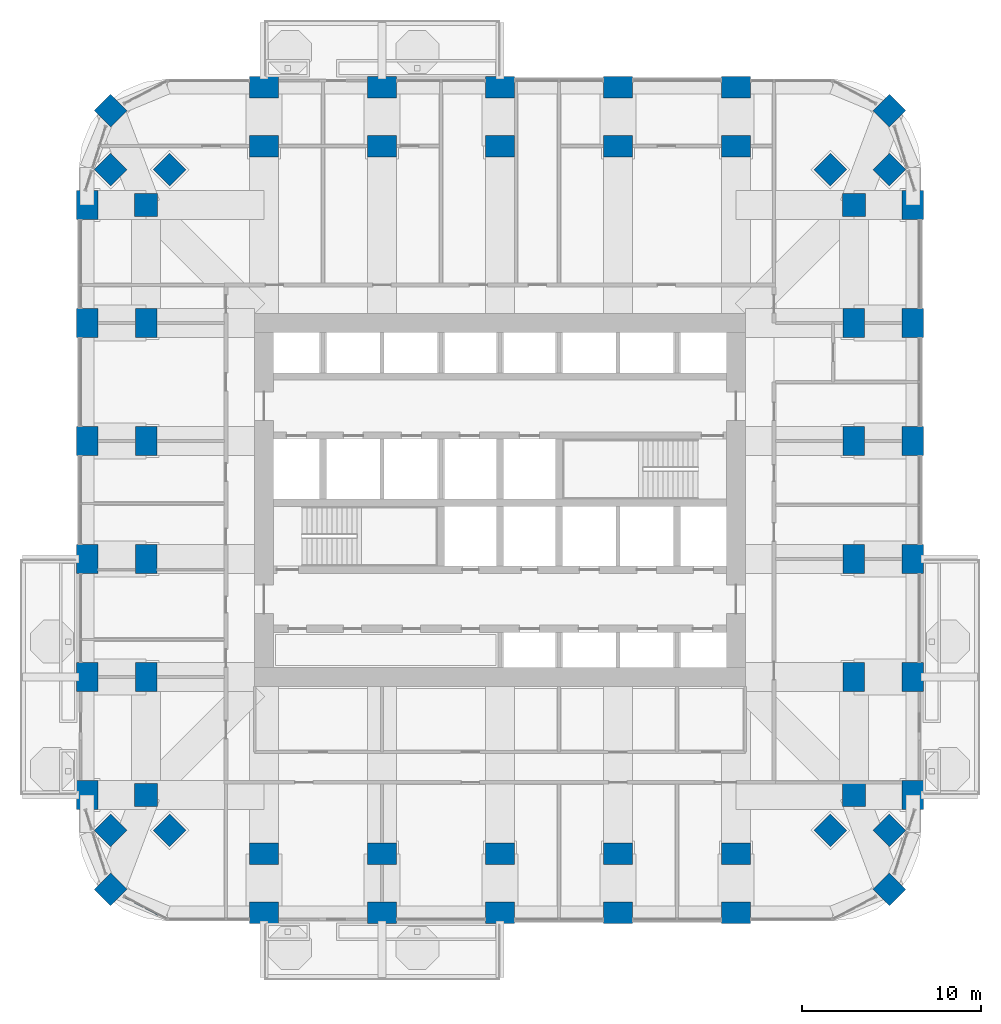
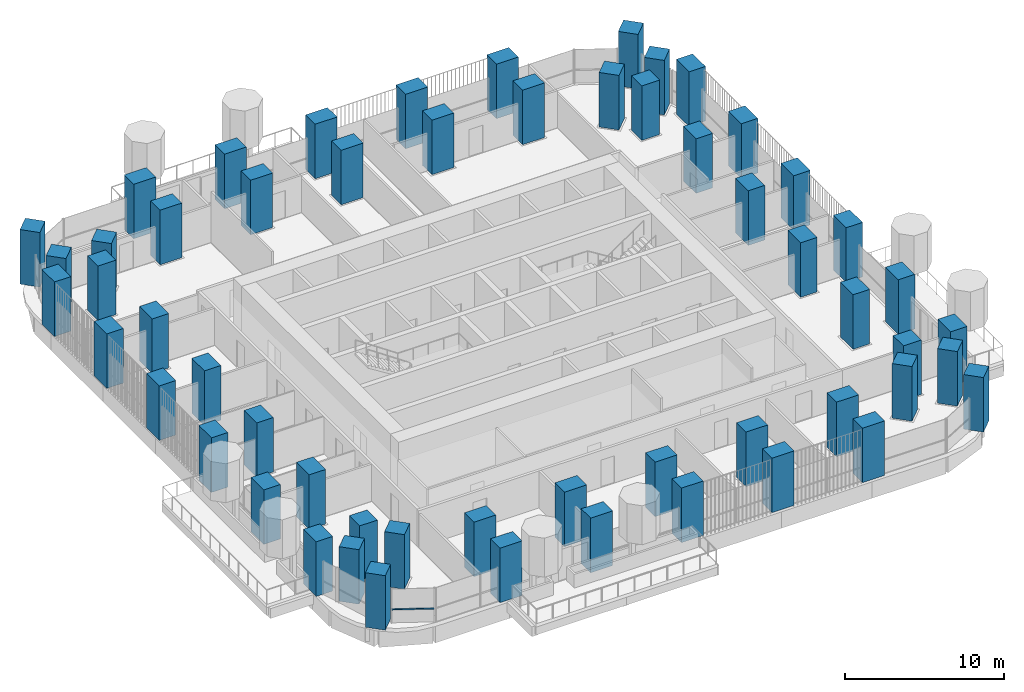
# One storey, part 1 of 21: 56 columns, 1 member, 1 element without a shape of its own.
"""IFC4 building model written with IfcOpenShell, lengths in metres."""

from ifc_helpers import new_model, si_unit, direction, frame, origin, origin_2d, place, context, subcontext, project, spatial, rectangle, extrude, material, material_profile, profile_set, type_object, element, aggregate, save


model = new_model("IFC4")

# Units and contexts
model_context = context("Model", 3, precision=1e-05, world=origin(), true_north=direction((0.0, 1.0)))
body_context = subcontext(model_context, "Body", "Model", "MODEL_VIEW")
ifc_project = project(units=[si_unit("LENGTHUNIT", "METRE"), si_unit("AREAUNIT", "SQUARE_METRE"), si_unit("VOLUMEUNIT", "CUBIC_METRE"), si_unit("PLANEANGLEUNIT", "RADIAN"), si_unit("MASSUNIT", "GRAM", prefix="KILO")], contexts=[model_context])

# Site, building, storey
site_placement = place(None, origin())
site = spatial("IfcSite", under=ifc_project, at=site_placement, CompositionType="ELEMENT")
building_placement = place(site_placement, origin())
building = spatial("IfcBuilding", under=site, at=building_placement, Name="Cobogo Forest Laboratory Tower", CompositionType="ELEMENT")
storey_placement = place(building_placement, frame((0.0, 0.0, 141.0)))
storey = spatial("IfcBuildingStorey", under=building, at=storey_placement, Name="L32", CompositionType="ELEMENT", Elevation=141.0)

# Columns
ifc_material_1 = material(Name="Concrete HA-50 (C50/60)", Category="concrete")
ifc_material_profile_1 = material_profile(ifc_material_1, rectangle(XDim=1.60009765625, YDim=1.199951171875, at=origin_2d()), Name="RC 1200x1600")
ifc_profile_set_1 = profile_set([ifc_material_profile_1], Name="Concrete HA-50 (C50/60)")
column_type_1 = type_object("IfcColumnType", Name="Blade column 1200x1600", PredefinedType="COLUMN", material=ifc_profile_set_1)
for number, where, z_axis, x_axis, name in (
    (1, (13.199951171875, 0.0, 0.0), (0.0, 0.0, 1.0), (1.0, 0.0, 0.0), "Column 3-A L32"),
    (2, (19.800048828125, 0.0, 0.0), (0.0, 0.0, 1.0), (1.0, 0.0, 0.0), "Column 4-A L32"),
    (3, (26.39990234375, 0.0, 0.0), (0.0, 0.0, 1.0), (1.0, 0.0, 0.0), "Column 5-A L32"),
    (4, (33.0, 0.0, 0.0), (0.0, 0.0, 1.0), (1.0, 0.0, 0.0), "Column 6-A L32"),
    (5, (39.60009765625, 0.0, 0.0), (0.0, 0.0, 1.0), (1.0, 0.0, 0.0), "Column 7-A L32"),
    (6, (3.300048828125, 6.60009765625, 0.0), (0.0, 0.0, 1.0), (0.0, 1.0, 0.0), "Column 1.1-B L32"),
    (7, (49.5, 6.60009765625, 0.0), (0.0, 0.0, 1.0), (0.0, 1.0, 0.0), "Column 8.1-B L32"),
    (8, (3.300048828125, 13.199951171875, 0.0), (0.0, 0.0, 1.0), (0.0, 1.0, 0.0), "Column 1.1-C L32"),
    (9, (49.5, 13.199951171875, 0.0), (0.0, 0.0, 1.0), (0.0, 1.0, 0.0), "Column 8.1-C L32"),
    (10, (3.300048828125, 19.800048828125, 0.0), (0.0, 0.0, 1.0), (0.0, 1.0, 0.0), "Column 1.1-D L32"),
    (11, (49.5, 19.800048828125, 0.0), (0.0, 0.0, 1.0), (0.0, 1.0, 0.0), "Column 8.1-D L32"),
    (12, (3.300048828125, 26.39990234375, 0.0), (0.0, 0.0, 1.0), (0.0, 1.0, 0.0), "Column 1.1-E L32"),
    (13, (49.5, 26.39990234375, 0.0), (0.0, 0.0, 1.0), (0.0, 1.0, 0.0), "Column 8.1-E L32"),
    (14, (3.300048828125, 33.0, 0.0), (0.0, 0.0, 1.0), (0.0, 1.0, 0.0), "Column 1.1-F L32"),
    (15, (49.5, 33.0, 0.0), (0.0, 0.0, 1.0), (0.0, 1.0, 0.0), "Column 8.1-F L32"),
    (16, (3.300048828125, 39.60009765625, 0.0), (0.0, 0.0, 1.0), (0.0, 1.0, 0.0), "Column 1.1-G L32"),
    (17, (49.5, 39.60009765625, 0.0), (0.0, 0.0, 1.0), (0.0, 1.0, 0.0), "Column 8.1-G L32"),
    (18, (13.199951171875, 46.199951171875, 0.0), (0.0, 0.0, 1.0), (1.0, 0.0, 0.0), "Column 3-H L32"),
    (19, (19.800048828125, 46.199951171875, 0.0), (0.0, 0.0, 1.0), (1.0, 0.0, 0.0), "Column 4-H L32"),
    (20, (26.39990234375, 46.199951171875, 0.0), (0.0, 0.0, 1.0), (1.0, 0.0, 0.0), "Column 5-H L32"),
    (21, (33.0, 46.199951171875, 0.0), (0.0, 0.0, 1.0), (1.0, 0.0, 0.0), "Column 6-H L32"),
    (22, (39.60009765625, 46.199951171875, 0.0), (0.0, 0.0, 1.0), (1.0, 0.0, 0.0), "Column 7-H L32"),
    (23, (13.199951171875, 3.300048828125, 0.0), (0.0, 0.0, 1.0), (1.0, 0.0, 0.0), "Column 3-A.1-C L32"),
    (24, (19.800048828125, 3.300048828125, 0.0), (0.0, 0.0, 1.0), (1.0, 0.0, 0.0), "Column 4-A.1-C L32"),
    (25, (26.39990234375, 3.300048828125, 0.0), (0.0, 0.0, 1.0), (1.0, 0.0, 0.0), "Column 5-A.1-C L32"),
    (26, (33.0, 3.300048828125, 0.0), (0.0, 0.0, 1.0), (1.0, 0.0, 0.0), "Column 6-A.1-C L32"),
    (27, (39.60009765625, 3.300048828125, 0.0), (0.0, 0.0, 1.0), (1.0, 0.0, 0.0), "Column 7-A.1-C L32"),
    (28, (13.199951171875, 42.89990234375, 0.0), (0.0, 0.0, 1.0), (1.0, 0.0, 0.0), "Column 3-G.1-C L32"),
    (29, (19.800048828125, 42.89990234375, 0.0), (0.0, 0.0, 1.0), (1.0, 0.0, 0.0), "Column 4-G.1-C L32"),
    (30, (26.39990234375, 42.89990234375, 0.0), (0.0, 0.0, 1.0), (1.0, 0.0, 0.0), "Column 5-G.1-C L32"),
    (31, (33.0, 42.89990234375, 0.0), (0.0, 0.0, 1.0), (1.0, 0.0, 0.0), "Column 6-G.1-C L32"),
    (32, (39.60009765625, 42.89990234375, 0.0), (0.0, 0.0, 1.0), (1.0, 0.0, 0.0), "Column 7-G.1-C L32"),
    (33, (6.60009765625, 13.199951171875, 0.0), (0.0, 0.0, 1.0), (0.0, 1.0, 0.0), "Column 2-C-D L32"),
    (34, (46.199951171875, 13.199951171875, 0.0), (0.0, 0.0, 1.0), (0.0, 1.0, 0.0), "Column 8-C-D L32"),
    (35, (6.60009765625, 19.800048828125, 0.0), (0.0, 0.0, 1.0), (0.0, 1.0, 0.0), "Column 2-D-D L32"),
    (36, (46.199951171875, 19.800048828125, 0.0), (0.0, 0.0, 1.0), (0.0, 1.0, 0.0), "Column 8-D-D L32"),
    (37, (6.60009765625, 26.39990234375, 0.0), (0.0, 0.0, 1.0), (0.0, 1.0, 0.0), "Column 2-E-D L32"),
    (38, (46.199951171875, 26.39990234375, 0.0), (0.0, 0.0, 1.0), (0.0, 1.0, 0.0), "Column 8-E-D L32"),
    (39, (6.60009765625, 33.0, 0.0), (0.0, 0.0, 1.0), (0.0, 1.0, 0.0), "Column 2-F-D L32"),
    (40, (46.199951171875, 33.0, 0.0), (0.0, 0.0, 1.0), (0.0, 1.0, 0.0), "Column 8-F-D L32"),
):
    element("IfcColumn", number, at=place(storey_placement, frame(where, z_axis=z_axis, x_axis=x_axis)), inside=storey, type_object=column_type_1, Name=name, PredefinedType="COLUMN", context=body_context, shape_type="SweptSolid", body=[
        extrude(rectangle(XDim=1.60009765625, YDim=1.199951171875, at=origin_2d()), origin(), (0.0, 0.0, 1.0), 4.199951171875),
    ])
ifc_material_profile_2 = material_profile(ifc_material_1, rectangle(XDim=1.300048828125, YDim=1.300048828125, at=origin_2d()), Name="RC 1300x1300")
ifc_profile_set_2 = profile_set([ifc_material_profile_2], Name="Concrete HA-50 (C50/60)")
column_type_2 = type_object("IfcColumnType", Name="Column 1300x1300", PredefinedType="COLUMN", material=ifc_profile_set_2)
for number, where, z_axis, x_axis, name in (
    (41, (4.617919921875, 1.318115234375, 0.0), (0.0, 0.0, 1.0), (0.707106781187, 0.707106781187, 0.0), "Column CNR-SW L32"),
    (42, (48.181884765625, 1.318115234375, 0.0), (0.0, 0.0, 1.0), (0.707106781187, 0.707106781187, 0.0), "Column CNR-SE L32"),
    (43, (4.617919921875, 44.882080078125, 0.0), (0.0, 0.0, 1.0), (0.707106781187, 0.707106781187, 0.0), "Column CNR-NW L32"),
    (44, (48.181884765625, 44.882080078125, 0.0), (0.0, 0.0, 1.0), (0.707106781187, 0.707106781187, 0.0), "Column CNR-NE L32"),
    (45, (6.60009765625, 6.60009765625, 0.0), (0.0, 0.0, 1.0), (1.0, 0.0, 0.0), "Column 2-B L32"),
    (46, (46.199951171875, 6.60009765625, 0.0), (0.0, 0.0, 1.0), (1.0, 0.0, 0.0), "Column 8-B L32"),
    (47, (6.60009765625, 39.60009765625, 0.0), (0.0, 0.0, 1.0), (1.0, 0.0, 0.0), "Column 2-G L32"),
    (48, (46.199951171875, 39.60009765625, 0.0), (0.0, 0.0, 1.0), (1.0, 0.0, 0.0), "Column 8-G L32"),
    (49, (4.617919921875, 4.617919921875, 0.0), (0.0, 0.0, 1.0), (0.707106781187, 0.707106781187, 0.0), "Column CNR-SW-C L32"),
    (50, (48.181884765625, 4.617919921875, 0.0), (0.0, 0.0, 1.0), (0.707106781187, 0.707106781187, 0.0), "Column CNR-SE-C L32"),
    (51, (4.617919921875, 41.58203125, 0.0), (0.0, 0.0, 1.0), (0.707106781187, 0.707106781187, 0.0), "Column CNR-NW-C L32"),
    (52, (48.181884765625, 41.58203125, 0.0), (0.0, 0.0, 1.0), (0.707106781187, 0.707106781187, 0.0), "Column CNR-NE-C L32"),
    (53, (7.91796875, 4.617919921875, 0.0), (0.0, 0.0, 1.0), (0.707106781187, 0.707106781187, 0.0), "Column CNR-SW-D L32"),
    (54, (44.882080078125, 4.617919921875, 0.0), (0.0, 0.0, 1.0), (0.707106781187, 0.707106781187, 0.0), "Column CNR-SE-D L32"),
    (55, (7.91796875, 41.58203125, 0.0), (0.0, 0.0, 1.0), (0.707106781187, 0.707106781187, 0.0), "Column CNR-NW-D L32"),
    (56, (44.882080078125, 41.58203125, 0.0), (0.0, 0.0, 1.0), (0.707106781187, 0.707106781187, 0.0), "Column CNR-NE-D L32"),
):
    element("IfcColumn", number, at=place(storey_placement, frame(where, z_axis=z_axis, x_axis=x_axis)), inside=storey, type_object=column_type_2, Name=name, PredefinedType="COLUMN", context=body_context, shape_type="SweptSolid", body=[
        extrude(rectangle(XDim=1.300048828125, YDim=1.300048828125, at=origin_2d()), origin(), (0.0, 0.0, 1.0), 4.199951171875),
    ])

# Curtain wall, member
ifc_material_2 = material(Name="Aluminium curtain wall", Category="aluminium")
curtain_wall_type = type_object("IfcCurtainWallType", Name="CW-1 unitised curtain wall, clear glazing, laboratory floors zones A and B", PredefinedType="USERDEFINED", material=ifc_material_2)
curtain_wall_placement = place(storey_placement, origin())
curtain_wall = element("IfcCurtainWall", 57, at=curtain_wall_placement, inside=storey, type_object=curtain_wall_type, Name="Curtain wall 34 L32", ObjectType="UNITISED CURTAIN WALL", PredefinedType="USERDEFINED")
ifc_material_3 = material(Name="Aluminium transom", Category="aluminium")
ifc_material_profile_3 = material_profile(ifc_material_3, rectangle(XDim=0.1201171875, YDim=0.06005859375, at=origin_2d()), Name="AL 60x120")
ifc_profile_set_3 = profile_set([ifc_material_profile_3], Name="Aluminium transom")
member_type = type_object("IfcMemberType", Name="TR-1 aluminium transom 60x120", PredefinedType="USERDEFINED", material=ifc_profile_set_3)
member_placement = place(storey_placement, frame((5.394775390625, 0.910888671875, 1.050048828125), z_axis=(0.885694740493, -0.464268054753, 0.0), x_axis=(0.464268054753, 0.885694740493, 0.0)))
member = element("IfcMember", 58, at=member_placement, type_object=member_type, Name="CW-1 transom 1.1", ObjectType="TRANSOM", PredefinedType="USERDEFINED", context=body_context, shape_type="SweptSolid", body=[
    extrude(rectangle(XDim=0.1201171875, YDim=0.06005859375, at=origin_2d()), origin(), (0.0, 0.0, 1.0), 2.655517578125),
])
aggregate(curtain_wall, [member])

save(model, "model.ifc")
